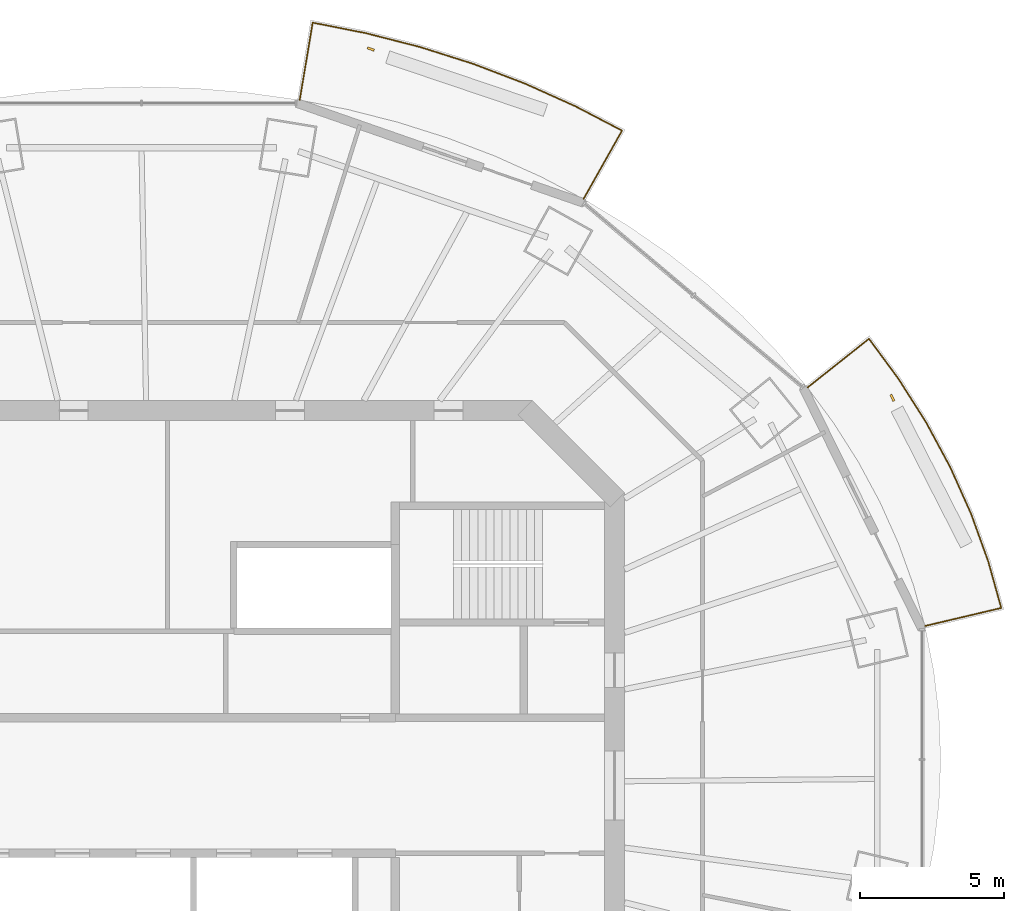
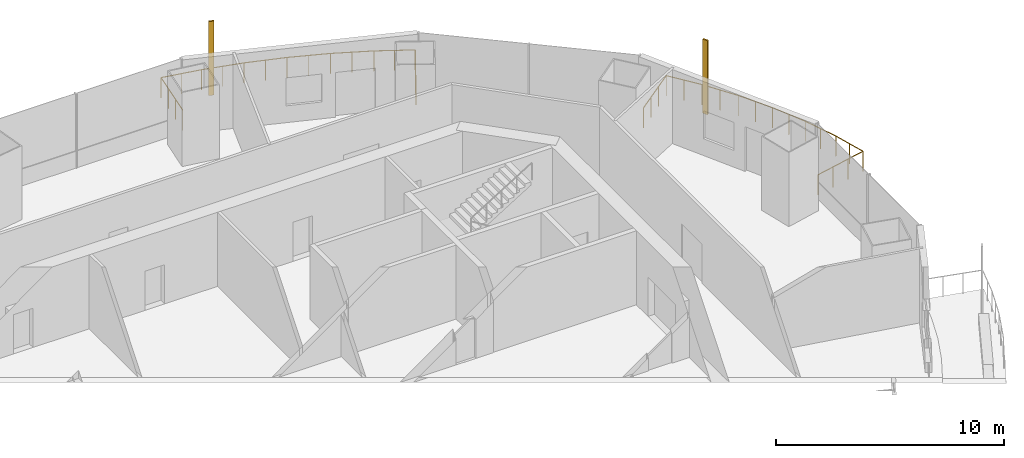
# One storey, part 15 of 16: 2 railings, 2 shading devices.
"""IFC4 building model written with IfcOpenShell, lengths in metres."""

from ifc_helpers import new_model, si_unit, direction, frame, origin, origin_2d, place, context, subcontext, project, spatial, rectangle, circle, extrude, material, material_profile, profile_set, type_object, element, save


model = new_model("IFC4")

# Units and contexts
model_context = context("Model", 3, precision=1e-05, world=origin(), true_north=direction((0.0, 1.0)))
body_context = subcontext(model_context, "Body", "Model", "MODEL_VIEW")
ifc_project = project(units=[si_unit("LENGTHUNIT", "METRE"), si_unit("AREAUNIT", "SQUARE_METRE"), si_unit("VOLUMEUNIT", "CUBIC_METRE"), si_unit("PLANEANGLEUNIT", "RADIAN"), si_unit("MASSUNIT", "GRAM", prefix="KILO")], contexts=[model_context])

# Site, building, storey
site_placement = place(None, origin())
site = spatial("IfcSite", under=ifc_project, at=site_placement, CompositionType="ELEMENT")
building_placement = place(site_placement, origin())
building = spatial("IfcBuilding", under=site, at=building_placement, Name="Marenthal Gate Tower", CompositionType="ELEMENT")
storey_placement = place(building_placement, frame((0.0, 0.0, 330.14990234375)))
storey = spatial("IfcBuildingStorey", under=building, at=storey_placement, Name="L74", CompositionType="ELEMENT", Elevation=330.14990234375)

# Railings
ifc_material_1 = material(Name="Stainless steel", Category="steel")
railing_type = type_object("IfcRailingType", Name="Balcony guard 1100", PredefinedType="GUARDRAIL", material=ifc_material_1)
railing_1_placement = place(storey_placement, frame((22.69140625, 13.797119140625, 0.0)))
element("IfcRailing", 1, at=railing_1_placement, inside=storey, type_object=railing_type, Name="Balcony guard L74 bay 1", PredefinedType="GUARDRAIL", context=body_context, shape_type="SweptSolid", body=[
    extrude(circle(Radius=0.02392578125, at=origin_2d()), frame((0.0, 0.0, 1.076171875), z_axis=(0.783492182246, 0.621229425602, -0.014628777286), x_axis=(-0.621295908171, 0.783576029808, 0.0)), (0.0, 0.0, 1.0), 2.72021484375),
    extrude(circle(Radius=0.02392578125, at=origin_2d()), frame((2.13134765625, 1.68994140625, 1.0361328125), z_axis=(0.592850645272, -0.805312431545, 0.0), x_axis=(0.805312431545, 0.592850645272, 0.0)), (0.0, 0.0, 1.0), 1.721435546875),
    extrude(circle(Radius=0.02392578125, at=origin_2d()), frame((3.15185546875, 0.3037109375, 1.0361328125), z_axis=(0.535974159658, -0.844234386991, 0.0), x_axis=(0.844234386991, 0.535974159658, 0.0)), (0.0, 0.0, 1.0), 1.788330078125),
    extrude(circle(Radius=0.02392578125, at=origin_2d()), frame((4.1103515625, -1.2060546875, 1.0361328125), z_axis=(0.47389491034, -0.880581406772, 0.0), x_axis=(0.880581406772, 0.47389491034, 0.0)), (0.0, 0.0, 1.0), 1.7763671875),
    extrude(circle(Radius=0.02392578125, at=origin_2d()), frame((4.9521484375, -2.770263671875, 1.0361328125), z_axis=(0.408087166089, -0.912942969124, 0.0), x_axis=(0.912942969124, 0.408087166089, 0.0)), (0.0, 0.0, 1.0), 1.76611328125),
    extrude(circle(Radius=0.02392578125, at=origin_2d()), frame((5.6728515625, -4.382568359375, 1.0361328125), z_axis=(0.338940900894, -0.940807666689, 0.0), x_axis=(0.940807666689, 0.338940900894, 0.0)), (0.0, 0.0, 1.0), 1.7568359375),
    extrude(circle(Radius=0.02392578125, at=origin_2d()), frame((6.268310546875, -6.035400390625, 1.0361328125), z_axis=(0.268767418185, -0.963205105324, 0.0), x_axis=(0.963205105324, 0.268767418185, 0.0)), (0.0, 0.0, 1.0), 1.669677734375),
    extrude(circle(Radius=0.02392578125, at=origin_2d()), frame((6.717041015625, -7.6435546875, 1.0361328125), z_axis=(-0.973163338784, -0.229650035407, 0.014627962396), x_axis=(0.229674609296, -0.97326747292, 0.0)), (0.0, 0.0, 1.0), 2.720458984375),
    extrude(circle(Radius=0.02099609375, at=origin_2d()), origin(), (0.0, 0.0, 1.0), 1.052001953125),
    extrude(circle(Radius=0.02099609375, at=origin_2d()), frame((0.71044921875, 0.563232421875, -0.01318359375)), (0.0, 0.0, 1.0), 1.052001953125),
    extrude(circle(Radius=0.02099609375, at=origin_2d()), frame((1.4208984375, 1.126708984375, -0.026611328125)), (0.0, 0.0, 1.0), 1.052001953125),
    extrude(circle(Radius=0.02099609375, at=origin_2d()), frame((2.13134765625, 1.68994140625, -0.039794921875)), (0.0, 0.0, 1.0), 1.052001953125),
    extrude(circle(Radius=0.02099609375, at=origin_2d()), frame((2.6416015625, 0.996826171875, -0.039794921875)), (0.0, 0.0, 1.0), 1.052001953125),
    extrude(circle(Radius=0.02099609375, at=origin_2d()), frame((3.15185546875, 0.3037109375, -0.039794921875)), (0.0, 0.0, 1.0), 1.052001953125),
    extrude(circle(Radius=0.02099609375, at=origin_2d()), frame((3.631103515625, -0.451171875, -0.039794921875)), (0.0, 0.0, 1.0), 1.052001953125),
    extrude(circle(Radius=0.02099609375, at=origin_2d()), frame((4.1103515625, -1.2060546875, -0.039794921875)), (0.0, 0.0, 1.0), 1.052001953125),
    extrude(circle(Radius=0.02099609375, at=origin_2d()), frame((4.53125, -1.98828125, -0.039794921875)), (0.0, 0.0, 1.0), 1.052001953125),
    extrude(circle(Radius=0.02099609375, at=origin_2d()), frame((4.9521484375, -2.770263671875, -0.039794921875)), (0.0, 0.0, 1.0), 1.052001953125),
    extrude(circle(Radius=0.02099609375, at=origin_2d()), frame((5.3125, -3.576416015625, -0.039794921875)), (0.0, 0.0, 1.0), 1.052001953125),
    extrude(circle(Radius=0.02099609375, at=origin_2d()), frame((5.6728515625, -4.382568359375, -0.039794921875)), (0.0, 0.0, 1.0), 1.052001953125),
    extrude(circle(Radius=0.02099609375, at=origin_2d()), frame((5.970703125, -5.208984375, -0.039794921875)), (0.0, 0.0, 1.0), 1.052001953125),
    extrude(circle(Radius=0.02099609375, at=origin_2d()), frame((6.268310546875, -6.035400390625, -0.039794921875)), (0.0, 0.0, 1.0), 1.052001953125),
    extrude(circle(Radius=0.02099609375, at=origin_2d()), frame((6.49267578125, -6.83935546875, -0.039794921875)), (0.0, 0.0, 1.0), 1.052001953125),
    extrude(circle(Radius=0.02099609375, at=origin_2d()), frame((6.717041015625, -7.6435546875, -0.039794921875)), (0.0, 0.0, 1.0), 1.052001953125),
    extrude(circle(Radius=0.02099609375, at=origin_2d()), frame((5.83447265625, -7.851806640625, -0.026611328125)), (0.0, 0.0, 1.0), 1.052001953125),
    extrude(circle(Radius=0.02099609375, at=origin_2d()), frame((4.9521484375, -8.06005859375, -0.01318359375)), (0.0, 0.0, 1.0), 1.052001953125),
    extrude(circle(Radius=0.02099609375, at=origin_2d()), frame((4.069580078125, -8.268310546875, 0.0)), (0.0, 0.0, 1.0), 1.052001953125),
])
railing_2_placement = place(storey_placement, frame((5.085205078125, 23.765625, 0.0)))
element("IfcRailing", 2, at=railing_2_placement, inside=storey, type_object=railing_type, Name="Balcony guard L74 bay 3", PredefinedType="GUARDRAIL", context=body_context, shape_type="SweptSolid", body=[
    extrude(circle(Radius=0.02392578125, at=origin_2d()), frame((0.0, 0.0, 1.076171875), z_axis=(0.165225448315, 0.986147325412, -0.014628869134), x_axis=(-0.986252861995, 0.165243130591, 0.0)), (0.0, 0.0, 1.0), 2.72021484375),
    extrude(circle(Radius=0.02392578125, at=origin_2d()), frame((0.449462890625, 2.6826171875, 1.0361328125), z_axis=(0.981044354343, -0.193783319228, 0.0), x_axis=(0.193783319228, 0.981044354343, 0.0)), (0.0, 0.0, 1.0), 1.8720703125),
    extrude(circle(Radius=0.02392578125, at=origin_2d()), frame((2.2861328125, 2.31982421875, 1.0361328125), z_axis=(0.968904264382, -0.247435903744, 0.0), x_axis=(0.247435903744, 0.968904264382, 0.0)), (0.0, 0.0, 1.0), 1.94482421875),
    extrude(circle(Radius=0.02392578125, at=origin_2d()), frame((4.17041015625, 1.838623046875, 1.0361328125), z_axis=(0.953258105079, -0.302157219178, 0.0), x_axis=(0.302157219178, 0.953258105079, 0.0)), (0.0, 0.0, 1.0), 1.93603515625),
    extrude(circle(Radius=0.02392578125, at=origin_2d()), frame((6.015869140625, 1.253662109375, 1.0361328125), z_axis=(0.93438727594, -0.356258920677, 0.0), x_axis=(0.356258920677, 0.93438727594, 0.0)), (0.0, 0.0, 1.0), 1.92578125),
    extrude(circle(Radius=0.02392578125, at=origin_2d()), frame((7.815185546875, 0.567626953125, 1.0361328125), z_axis=(0.911923891931, -0.410359373387, 0.0), x_axis=(0.410359373387, 0.911923891931, 0.0)), (0.0, 0.0, 1.0), 1.913818359375),
    extrude(circle(Radius=0.02392578125, at=origin_2d()), frame((9.560546875, -0.2177734375, 1.0361328125), z_axis=(0.886546608419, -0.462639288324, 0.0), x_axis=(0.462639288324, 0.886546608419, 0.0)), (0.0, 0.0, 1.0), 1.82177734375),
    extrude(circle(Radius=0.02392578125, at=origin_2d()), frame((11.175537109375, -1.060546875, 1.0361328125), z_axis=(-0.490566665054, -0.871280860656, 0.014629046177), x_axis=(0.871374106592, -0.49061916632, 0.0)), (0.0, 0.0, 1.0), 2.72021484375),
    extrude(circle(Radius=0.02099609375, at=origin_2d()), origin(), (0.0, 0.0, 1.0), 1.052001953125),
    extrude(circle(Radius=0.02099609375, at=origin_2d()), frame((0.14990234375, 0.894287109375, -0.01318359375)), (0.0, 0.0, 1.0), 1.052001953125),
    extrude(circle(Radius=0.02099609375, at=origin_2d()), frame((0.299560546875, 1.788330078125, -0.026611328125)), (0.0, 0.0, 1.0), 1.052001953125),
    extrude(circle(Radius=0.02099609375, at=origin_2d()), frame((0.449462890625, 2.6826171875, -0.039794921875)), (0.0, 0.0, 1.0), 1.052001953125),
    extrude(circle(Radius=0.02099609375, at=origin_2d()), frame((1.36767578125, 2.501220703125, -0.039794921875)), (0.0, 0.0, 1.0), 1.052001953125),
    extrude(circle(Radius=0.02099609375, at=origin_2d()), frame((2.2861328125, 2.31982421875, -0.039794921875)), (0.0, 0.0, 1.0), 1.052001953125),
    extrude(circle(Radius=0.02099609375, at=origin_2d()), frame((3.228271484375, 2.0791015625, -0.039794921875)), (0.0, 0.0, 1.0), 1.052001953125),
    extrude(circle(Radius=0.02099609375, at=origin_2d()), frame((4.17041015625, 1.838623046875, -0.039794921875)), (0.0, 0.0, 1.0), 1.052001953125),
    extrude(circle(Radius=0.02099609375, at=origin_2d()), frame((5.09326171875, 1.546142578125, -0.039794921875)), (0.0, 0.0, 1.0), 1.052001953125),
    extrude(circle(Radius=0.02099609375, at=origin_2d()), frame((6.015869140625, 1.253662109375, -0.039794921875)), (0.0, 0.0, 1.0), 1.052001953125),
    extrude(circle(Radius=0.02099609375, at=origin_2d()), frame((6.91552734375, 0.91064453125, -0.039794921875)), (0.0, 0.0, 1.0), 1.052001953125),
    extrude(circle(Radius=0.02099609375, at=origin_2d()), frame((7.815185546875, 0.567626953125, -0.039794921875)), (0.0, 0.0, 1.0), 1.052001953125),
    extrude(circle(Radius=0.02099609375, at=origin_2d()), frame((8.68798828125, 0.1748046875, -0.039794921875)), (0.0, 0.0, 1.0), 1.052001953125),
    extrude(circle(Radius=0.02099609375, at=origin_2d()), frame((9.560546875, -0.2177734375, -0.039794921875)), (0.0, 0.0, 1.0), 1.052001953125),
    extrude(circle(Radius=0.02099609375, at=origin_2d()), frame((10.3681640625, -0.63916015625, -0.039794921875)), (0.0, 0.0, 1.0), 1.052001953125),
    extrude(circle(Radius=0.02099609375, at=origin_2d()), frame((11.175537109375, -1.060546875, -0.039794921875)), (0.0, 0.0, 1.0), 1.052001953125),
    extrude(circle(Radius=0.02099609375, at=origin_2d()), frame((10.730712890625, -1.8505859375, -0.026611328125)), (0.0, 0.0, 1.0), 1.052001953125),
    extrude(circle(Radius=0.02099609375, at=origin_2d()), frame((10.285888671875, -2.640625, -0.01318359375)), (0.0, 0.0, 1.0), 1.052001953125),
    extrude(circle(Radius=0.02099609375, at=origin_2d()), frame((9.841064453125, -3.4306640625, 0.0)), (0.0, 0.0, 1.0), 1.052001953125),
])

# Shading devices
ifc_material_2 = material(Name="Terracotta", Category="masonry")
ifc_material_profile = material_profile(ifc_material_2, rectangle(XDim=0.25, YDim=0.080078125, at=origin_2d()), Name="Terracotta baguette 250x80")
ifc_profile_set = profile_set([ifc_material_profile], Name="Terracotta")
shading_device_type = type_object("IfcShadingDeviceType", Name="Terracotta BAGUETTE SCREEN 250x80", PredefinedType="USERDEFINED", material=ifc_profile_set)
for number, where, z_axis, x_axis, name in (
    (3, (25.633544921875, 13.438720703125, -0.039794921875), (0.0, 0.0, 1.0), (-0.441395261574, 0.897312778834, 0.0), "Terracotta BAGUETTE L74 bay 1R"),
    (4, (7.550537109375, 25.533203125, -0.039794921875), (0.0, 0.0, 1.0), (-0.944213856974, 0.329332950521, 0.0), "Terracotta BAGUETTE L74 bay 3R"),
):
    element("IfcShadingDevice", number, at=place(storey_placement, frame(where, z_axis=z_axis, x_axis=x_axis)), inside=storey, type_object=shading_device_type, Name=name, ObjectType="BAGUETTE SCREEN", PredefinedType="USERDEFINED", context=body_context, shape_type="SweptSolid", body=[
        extrude(rectangle(XDim=0.25, YDim=0.080078125, at=origin_2d()), origin(), (0.0, 0.0, 1.0), 3.969970703125),
    ])

save(model, "model.ifc")
